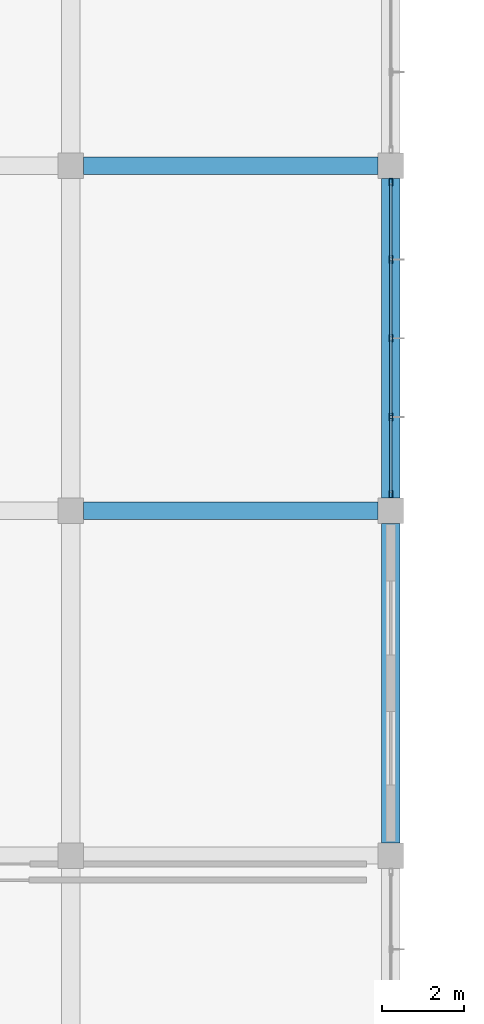
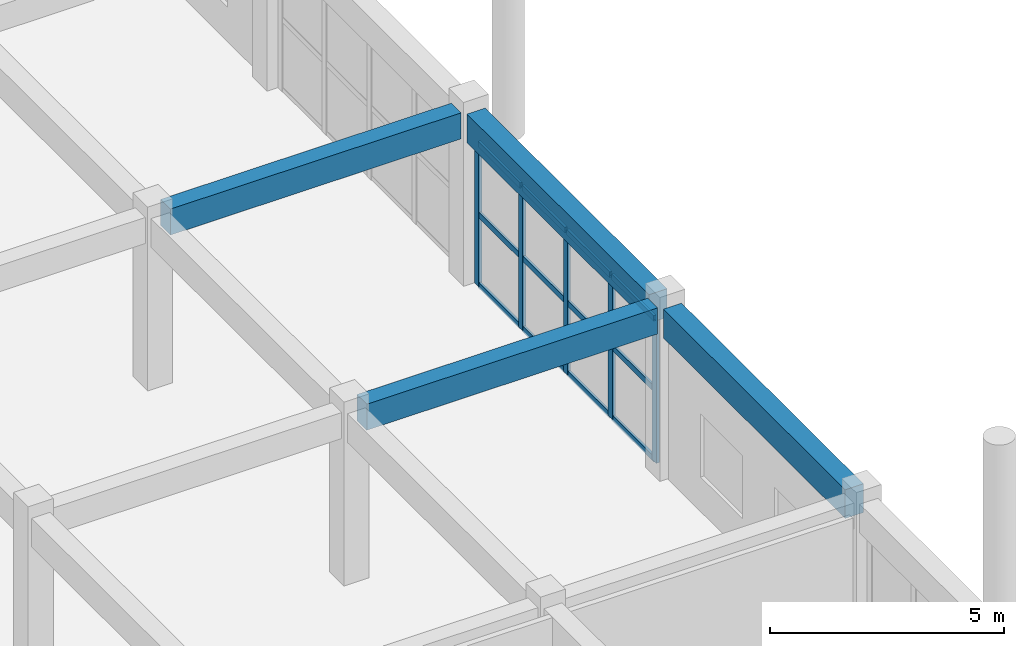
# One storey, part 115 of 167: 17 members, 4 beams, 1 element without a shape of its own.
"""IFC4 building model written with IfcOpenShell, lengths in metres."""

from ifc_helpers import new_model, si_unit, direction, frame, origin, origin_2d, place, context, subcontext, project, spatial, rectangle, hollow_rectangle, extrude, material, layer, layer_set, material_profile, profile_set, type_object, element, aggregate, save


model = new_model("IFC4")

# Units and contexts
model_context = context("Model", 3, precision=1e-05, world=origin(), true_north=direction((0.0, 1.0)))
body_context = subcontext(model_context, "Body", "Model", "MODEL_VIEW")
ifc_project = project(units=[si_unit("LENGTHUNIT", "METRE"), si_unit("AREAUNIT", "SQUARE_METRE"), si_unit("VOLUMEUNIT", "CUBIC_METRE"), si_unit("PLANEANGLEUNIT", "RADIAN"), si_unit("MASSUNIT", "GRAM", prefix="KILO")], contexts=[model_context])

# Site, building, storey
site_placement = place(None, origin())
site = spatial("IfcSite", under=ifc_project, at=site_placement, CompositionType="ELEMENT")
building_placement = place(site_placement, origin())
building = spatial("IfcBuilding", under=site, at=building_placement, Name="Zizhar Promenade General Hospital", CompositionType="ELEMENT")
storey_placement = place(building_placement, frame((0.0, 0.0, 9.60009765625)))
storey = spatial("IfcBuildingStorey", under=building, at=storey_placement, Name="L02", CompositionType="ELEMENT", Elevation=9.60009765625)

# Beams
ifc_material_1 = material(Name="Concrete C35/45", Category="concrete")
ifc_material_profile_1 = material_profile(ifc_material_1, rectangle(XDim=0.419921875, YDim=0.679931640625, at=origin_2d()))
ifc_profile_set_1 = profile_set([ifc_material_profile_1], Name="Concrete C35/45")
beam_type_1 = type_object("IfcBeamType", Name="BM-RC-420x680", PredefinedType="JOIST", material=ifc_profile_set_1)
for number, where, z_axis, x_axis, name in (
    (1, (187.510009765625, 84.0, 4.1298828125), (1.0, 0.0, 0.0), (0.0, 1.0, 0.0), "Grid Beam X L02 (24-10)"),
    (2, (187.510009765625, 92.39990234375, 4.1298828125), (1.0, 0.0, 0.0), (0.0, 1.0, 0.0), "Grid Beam X L02 (24-11)"),
):
    element("IfcBeam", number, at=place(storey_placement, frame(where, z_axis=z_axis, x_axis=x_axis)), inside=storey, type_object=beam_type_1, Name=name, PredefinedType="JOIST", context=body_context, shape_type="SweptSolid", body=[
        extrude(rectangle(XDim=0.419921875, YDim=0.679931640625, at=origin_2d()), origin(), (0.0, 0.0, 1.0), 7.179931640625),
    ])
ifc_material_2 = material(Name="Concrete C35/45", Category="concrete")
ifc_material_profile_2 = material_profile(ifc_material_2, rectangle(XDim=0.449951171875, YDim=0.75, at=origin_2d()))
ifc_profile_set_2 = profile_set([ifc_material_profile_2], Name="Concrete C35/45")
beam_type_2 = type_object("IfcBeamType", Name="BM-RC-450x750", PredefinedType="BEAM", material=ifc_profile_set_2)
for number, where, z_axis, x_axis, name in (
    (3, (195.0, 75.909912109375, 4.094970703125), (0.0, 1.0, 0.0), (-1.0, 0.0, 0.0), "Grid Beam Y L02 (25-9)"),
    (4, (195.0, 84.31005859375, 4.094970703125), (0.0, 1.0, 0.0), (-1.0, 0.0, 0.0), "Grid Beam Y L02 (25-10)"),
):
    element("IfcBeam", number, at=place(storey_placement, frame(where, z_axis=z_axis, x_axis=x_axis)), inside=storey, type_object=beam_type_2, Name=name, PredefinedType="BEAM", context=body_context, shape_type="SweptSolid", body=[
        extrude(rectangle(XDim=0.449951171875, YDim=0.75, at=origin_2d()), origin(), (0.0, 0.0, 1.0), 7.780029296875),
    ])

# Curtain wall, members
ifc_material_3 = material(Name="Anodised aluminium 6063-T6 and low-E glass", Category="aluminium")
ifc_layer = layer(ifc_material_3, 0.159912109375)
ifc_layer_set = layer_set([ifc_layer], Name="Anodised aluminium 6063-T6 and low-E glass")
curtain_wall_type = type_object("IfcCurtainWallType", Name="CW-CLN-EXT", PredefinedType="NOTDEFINED", material=ifc_layer_set)
curtain_wall_placement = place(storey_placement, origin())
curtain_wall = element("IfcCurtainWall", 5, at=curtain_wall_placement, inside=storey, type_object=curtain_wall_type, Name="Outpatient East Curtain Wall L02-10", PredefinedType="NOTDEFINED")
ifc_material_4 = material(Name="Anodised aluminium 6063-T6", Category="aluminium")
ifc_material_profile_3 = material_profile(ifc_material_4, hollow_rectangle(XDim=0.080078125, YDim=0.179931640625, WallThickness=0.0048828125, at=origin_2d()))
ifc_profile_set_3 = profile_set([ifc_material_profile_3], Name="Anodised aluminium 6063-T6")
member_type_1 = type_object("IfcMemberType", Name="CWM-ALU-180x80", PredefinedType="MULLION", material=ifc_profile_set_3)
member_1_placement = place(storey_placement, frame((195.0, 92.0, 0.0), z_axis=(0.0, 0.0, 1.0), x_axis=(1.0, 0.0, 0.0)))
member_1 = element("IfcMember", 6, at=member_1_placement, type_object=member_type_1, Name="CW-09 mullion 1", PredefinedType="MULLION", context=body_context, shape_type="SweptSolid", body=[
    extrude(hollow_rectangle(XDim=0.080078125, YDim=0.179931640625, WallThickness=0.0048828125, at=origin_2d()), origin(), (0.0, 0.0, 1.0), 3.72998046875),
])
member_2_placement = place(storey_placement, frame((195.0, 90.1201171875, 0.0), z_axis=(0.0, 0.0, 1.0), x_axis=(1.0, 0.0, 0.0)))
member_2 = element("IfcMember", 7, at=member_2_placement, type_object=member_type_1, Name="CW-09 mullion 2", PredefinedType="MULLION", context=body_context, shape_type="SweptSolid", body=[
    extrude(hollow_rectangle(XDim=0.080078125, YDim=0.179931640625, WallThickness=0.0048828125, at=origin_2d()), origin(), (0.0, 0.0, 1.0), 3.72998046875),
])
member_3_placement = place(storey_placement, frame((195.0, 88.199951171875, 0.0), z_axis=(0.0, 0.0, 1.0), x_axis=(1.0, 0.0, 0.0)))
member_3 = element("IfcMember", 8, at=member_3_placement, type_object=member_type_1, Name="CW-09 mullion 3", PredefinedType="MULLION", context=body_context, shape_type="SweptSolid", body=[
    extrude(hollow_rectangle(XDim=0.080078125, YDim=0.179931640625, WallThickness=0.0048828125, at=origin_2d()), origin(), (0.0, 0.0, 1.0), 3.72998046875),
])
member_4_placement = place(storey_placement, frame((195.0, 86.280029296875, 0.0), z_axis=(0.0, 0.0, 1.0), x_axis=(1.0, 0.0, 0.0)))
member_4 = element("IfcMember", 9, at=member_4_placement, type_object=member_type_1, Name="CW-09 mullion 4", PredefinedType="MULLION", context=body_context, shape_type="SweptSolid", body=[
    extrude(hollow_rectangle(XDim=0.080078125, YDim=0.179931640625, WallThickness=0.0048828125, at=origin_2d()), origin(), (0.0, 0.0, 1.0), 3.72998046875),
])
member_5_placement = place(storey_placement, frame((195.0, 84.39990234375, 0.0), z_axis=(0.0, 0.0, 1.0), x_axis=(1.0, 0.0, 0.0)))
member_5 = element("IfcMember", 10, at=member_5_placement, type_object=member_type_1, Name="CW-09 mullion 5", PredefinedType="MULLION", context=body_context, shape_type="SweptSolid", body=[
    extrude(hollow_rectangle(XDim=0.080078125, YDim=0.179931640625, WallThickness=0.0048828125, at=origin_2d()), origin(), (0.0, 0.0, 1.0), 3.72998046875),
])
ifc_material_5 = material(Name="Anodised aluminium 6063-T6", Category="aluminium")
ifc_material_profile_4 = material_profile(ifc_material_5, hollow_rectangle(XDim=0.06005859375, YDim=0.14990234375, WallThickness=0.00390625, at=origin_2d()))
ifc_profile_set_4 = profile_set([ifc_material_profile_4], Name="Anodised aluminium 6063-T6")
member_type_2 = type_object("IfcMemberType", Name="CWT-ALU-150x60", PredefinedType="USERDEFINED", material=ifc_profile_set_4)
member_6_placement = place(storey_placement, frame((195.0, 91.9599609375, 0.02978515625), z_axis=(0.0, -1.0, 0.0), x_axis=(1.0, 0.0, 0.0)))
member_6 = element("IfcMember", 11, at=member_6_placement, type_object=member_type_2, Name="CW-09 transom 1.1", ObjectType="TRANSOM", PredefinedType="USERDEFINED", context=body_context, shape_type="SweptSolid", body=[
    extrude(hollow_rectangle(XDim=0.06005859375, YDim=0.14990234375, WallThickness=0.00390625, at=origin_2d()), origin(), (0.0, 0.0, 1.0), 1.800048828125),
])
member_7_placement = place(storey_placement, frame((195.0, 91.9599609375, 1.864990234375), z_axis=(0.0, -1.0, 0.0), x_axis=(1.0, 0.0, 0.0)))
member_7 = element("IfcMember", 12, at=member_7_placement, type_object=member_type_2, Name="CW-09 transom 1.2", ObjectType="TRANSOM", PredefinedType="USERDEFINED", context=body_context, shape_type="SweptSolid", body=[
    extrude(hollow_rectangle(XDim=0.06005859375, YDim=0.14990234375, WallThickness=0.00390625, at=origin_2d()), origin(), (0.0, 0.0, 1.0), 1.800048828125),
])
member_8_placement = place(storey_placement, frame((195.0, 91.9599609375, 3.699951171875), z_axis=(0.0, -1.0, 0.0), x_axis=(1.0, 0.0, 0.0)))
member_8 = element("IfcMember", 13, at=member_8_placement, type_object=member_type_2, Name="CW-09 transom 1.3", ObjectType="TRANSOM", PredefinedType="USERDEFINED", context=body_context, shape_type="SweptSolid", body=[
    extrude(hollow_rectangle(XDim=0.06005859375, YDim=0.14990234375, WallThickness=0.00390625, at=origin_2d()), origin(), (0.0, 0.0, 1.0), 1.800048828125),
])
member_9_placement = place(storey_placement, frame((195.0, 90.080078125, 0.02978515625), z_axis=(0.0, -1.0, 0.0), x_axis=(1.0, 0.0, 0.0)))
member_9 = element("IfcMember", 14, at=member_9_placement, type_object=member_type_2, Name="CW-09 transom 2.1", ObjectType="TRANSOM", PredefinedType="USERDEFINED", context=body_context, shape_type="SweptSolid", body=[
    extrude(hollow_rectangle(XDim=0.06005859375, YDim=0.14990234375, WallThickness=0.00390625, at=origin_2d()), origin(), (0.0, 0.0, 1.0), 1.840087890625),
])
member_10_placement = place(storey_placement, frame((195.0, 90.080078125, 1.864990234375), z_axis=(0.0, -1.0, 0.0), x_axis=(1.0, 0.0, 0.0)))
member_10 = element("IfcMember", 15, at=member_10_placement, type_object=member_type_2, Name="CW-09 transom 2.2", ObjectType="TRANSOM", PredefinedType="USERDEFINED", context=body_context, shape_type="SweptSolid", body=[
    extrude(hollow_rectangle(XDim=0.06005859375, YDim=0.14990234375, WallThickness=0.00390625, at=origin_2d()), origin(), (0.0, 0.0, 1.0), 1.840087890625),
])
member_11_placement = place(storey_placement, frame((195.0, 90.080078125, 3.699951171875), z_axis=(0.0, -1.0, 0.0), x_axis=(1.0, 0.0, 0.0)))
member_11 = element("IfcMember", 16, at=member_11_placement, type_object=member_type_2, Name="CW-09 transom 2.3", ObjectType="TRANSOM", PredefinedType="USERDEFINED", context=body_context, shape_type="SweptSolid", body=[
    extrude(hollow_rectangle(XDim=0.06005859375, YDim=0.14990234375, WallThickness=0.00390625, at=origin_2d()), origin(), (0.0, 0.0, 1.0), 1.840087890625),
])
member_12_placement = place(storey_placement, frame((195.0, 88.159912109375, 0.02978515625), z_axis=(0.0, -1.0, 0.0), x_axis=(1.0, 0.0, 0.0)))
member_12 = element("IfcMember", 17, at=member_12_placement, type_object=member_type_2, Name="CW-09 transom 3.1", ObjectType="TRANSOM", PredefinedType="USERDEFINED", context=body_context, shape_type="SweptSolid", body=[
    extrude(hollow_rectangle(XDim=0.06005859375, YDim=0.14990234375, WallThickness=0.00390625, at=origin_2d()), origin(), (0.0, 0.0, 1.0), 1.83984375),
])
member_13_placement = place(storey_placement, frame((195.0, 88.159912109375, 1.864990234375), z_axis=(0.0, -1.0, 0.0), x_axis=(1.0, 0.0, 0.0)))
member_13 = element("IfcMember", 18, at=member_13_placement, type_object=member_type_2, Name="CW-09 transom 3.2", ObjectType="TRANSOM", PredefinedType="USERDEFINED", context=body_context, shape_type="SweptSolid", body=[
    extrude(hollow_rectangle(XDim=0.06005859375, YDim=0.14990234375, WallThickness=0.00390625, at=origin_2d()), origin(), (0.0, 0.0, 1.0), 1.83984375),
])
member_14_placement = place(storey_placement, frame((195.0, 88.159912109375, 3.699951171875), z_axis=(0.0, -1.0, 0.0), x_axis=(1.0, 0.0, 0.0)))
member_14 = element("IfcMember", 19, at=member_14_placement, type_object=member_type_2, Name="CW-09 transom 3.3", ObjectType="TRANSOM", PredefinedType="USERDEFINED", context=body_context, shape_type="SweptSolid", body=[
    extrude(hollow_rectangle(XDim=0.06005859375, YDim=0.14990234375, WallThickness=0.00390625, at=origin_2d()), origin(), (0.0, 0.0, 1.0), 1.83984375),
])
member_15_placement = place(storey_placement, frame((195.0, 86.239990234375, 0.02978515625), z_axis=(0.0, -1.0, 0.0), x_axis=(1.0, 0.0, 0.0)))
member_15 = element("IfcMember", 20, at=member_15_placement, type_object=member_type_2, Name="CW-09 transom 4.1", ObjectType="TRANSOM", PredefinedType="USERDEFINED", context=body_context, shape_type="SweptSolid", body=[
    extrude(hollow_rectangle(XDim=0.06005859375, YDim=0.14990234375, WallThickness=0.00390625, at=origin_2d()), origin(), (0.0, 0.0, 1.0), 1.800048828125),
])
member_16_placement = place(storey_placement, frame((195.0, 86.239990234375, 1.864990234375), z_axis=(0.0, -1.0, 0.0), x_axis=(1.0, 0.0, 0.0)))
member_16 = element("IfcMember", 21, at=member_16_placement, type_object=member_type_2, Name="CW-09 transom 4.2", ObjectType="TRANSOM", PredefinedType="USERDEFINED", context=body_context, shape_type="SweptSolid", body=[
    extrude(hollow_rectangle(XDim=0.06005859375, YDim=0.14990234375, WallThickness=0.00390625, at=origin_2d()), origin(), (0.0, 0.0, 1.0), 1.800048828125),
])
member_17_placement = place(storey_placement, frame((195.0, 86.239990234375, 3.699951171875), z_axis=(0.0, -1.0, 0.0), x_axis=(1.0, 0.0, 0.0)))
member_17 = element("IfcMember", 22, at=member_17_placement, type_object=member_type_2, Name="CW-09 transom 4.3", ObjectType="TRANSOM", PredefinedType="USERDEFINED", context=body_context, shape_type="SweptSolid", body=[
    extrude(hollow_rectangle(XDim=0.06005859375, YDim=0.14990234375, WallThickness=0.00390625, at=origin_2d()), origin(), (0.0, 0.0, 1.0), 1.800048828125),
])
aggregate(curtain_wall, [member_1, member_2, member_3, member_4, member_5, member_6, member_7, member_8, member_9, member_10, member_11, member_12, member_13, member_14, member_15, member_16, member_17])

save(model, "model.ifc")
